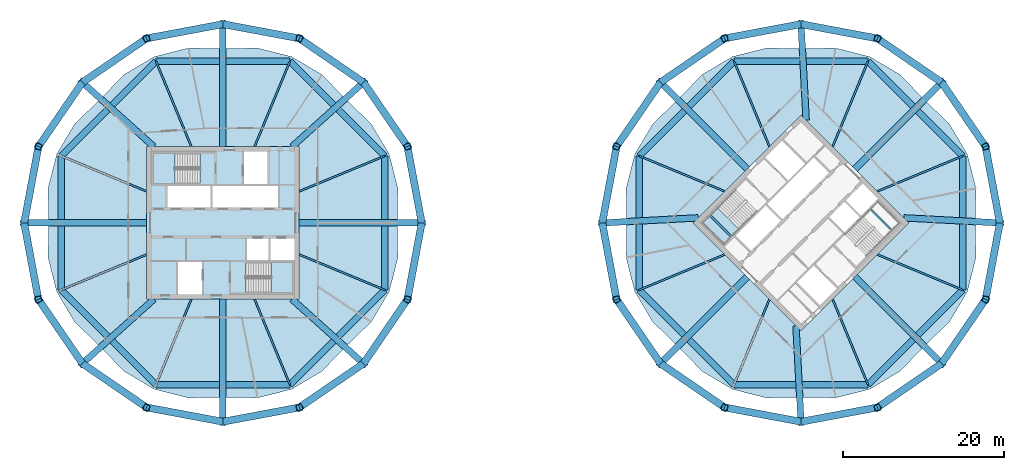
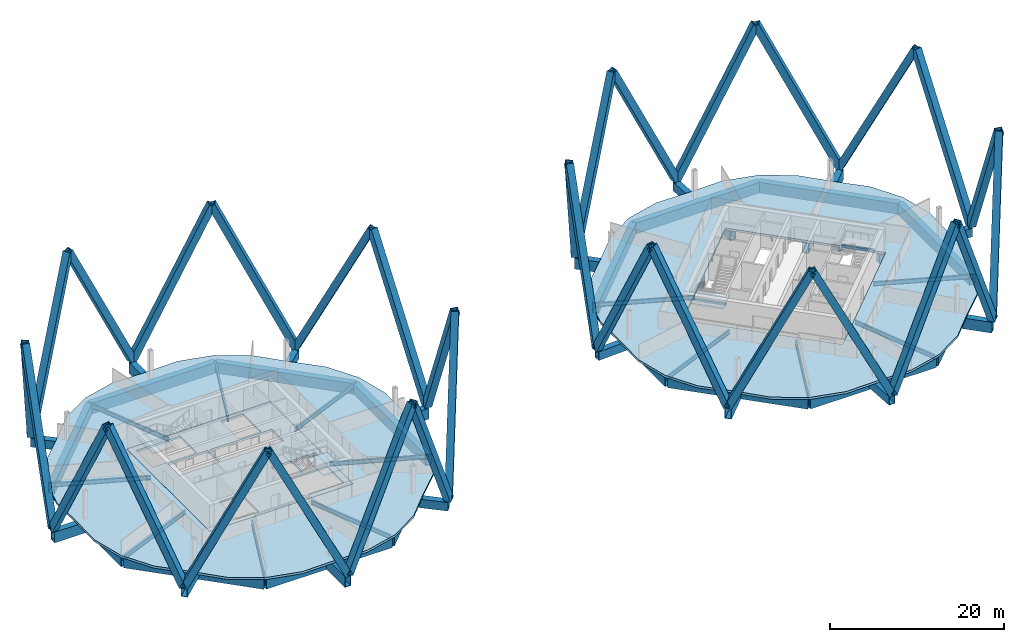
# One storey, part 3 of 10: 50 beams, 32 members, 6 slabs, 3 elements without a shape of their own.
"""IFC4 building model written with IfcOpenShell, lengths in metres."""

from ifc_helpers import new_model, si_unit, direction, frame, origin, origin_2d, place, context, subcontext, project, spatial, polyline, rectangle, hollow_rectangle, i_section, outline, extrude, material, layer, layer_set, material_profile, profile_set, type_object, element, aggregate, save


model = new_model("IFC4")

# Units and contexts
model_context = context("Model", 3, precision=1e-05, world=origin(), true_north=direction((0.0, 1.0)))
body_context = subcontext(model_context, "Body", "Model", "MODEL_VIEW")
ifc_project = project(units=[si_unit("LENGTHUNIT", "METRE"), si_unit("AREAUNIT", "SQUARE_METRE"), si_unit("VOLUMEUNIT", "CUBIC_METRE"), si_unit("PLANEANGLEUNIT", "RADIAN"), si_unit("MASSUNIT", "GRAM", prefix="KILO")], contexts=[model_context])

# Site, building, storey
site_placement = place(None, origin())
site = spatial("IfcSite", under=ifc_project, at=site_placement, CompositionType="ELEMENT")
building_placement = place(site_placement, origin())
building = spatial("IfcBuilding", under=site, at=building_placement, Name="Ogive Gate Towers", CompositionType="ELEMENT")
storey_placement = place(building_placement, frame((0.0, 0.0, 181.199951171875)))
storey = spatial("IfcBuildingStorey", under=building, at=storey_placement, Name="L43", CompositionType="ELEMENT", Elevation=181.199951171875)

# Members
ifc_material_1 = material(Name="Steel SM460", Category="steel")
ifc_material_profile_1 = material_profile(ifc_material_1, hollow_rectangle(XDim=0.89990234375, YDim=0.89990234375, WallThickness=0.070068359375, at=origin_2d()), Name="BX 900x900x70")
ifc_profile_set_1 = profile_set([ifc_material_profile_1], Name="Steel SM460")
member_type = type_object("IfcMemberType", Name="Diagrid diagonal BX 900x900x70", PredefinedType="BRACE", material=ifc_profile_set_1)
for number, where, z_axis, x_axis, name in (
    (1, (-11.239990234375, 0.0, 0.0), (-0.081904414897, -0.437141265874, 0.895655726544), (0.982896440428, -0.184159136056, 0.0), "T1/L43/SDG001"),
    (2, (-11.239990234375, 0.0, 0.0), (-0.081904414897, 0.437141265874, 0.895655726544), (-0.982896440428, -0.184159136056, 0.0), "T1/L43/SDG002"),
    (3, (-18.491943359375, 17.508056640625, 0.0), (0.251185655081, -0.367022611196, 0.895656278688), (0.82523922627, 0.56478333848, 0.0), "T1/L43/SDG003"),
    (4, (-18.491943359375, 17.508056640625, 0.0), (-0.367022611196, 0.251185655081, 0.895656278688), (-0.56478333848, -0.82523922627, 0.0), "T1/L43/SDG004"),
    (5, (-36.0, 24.760009765625, 0.0), (0.437141265874, -0.081904414897, 0.895655726544), (0.184159136056, 0.982896440428, 0.0), "T1/L43/SDG005"),
    (6, (-36.0, 24.760009765625, 0.0), (-0.437141265874, -0.081904414897, 0.895655726544), (0.184159136056, -0.982896440428, 0.0), "T1/L43/SDG006"),
    (7, (-53.508056640625, 17.508056640625, 0.0), (0.367022611196, 0.251185655081, 0.895656278688), (-0.56478333848, 0.82523922627, 0.0), "T1/L43/SDG007"),
    (8, (-53.508056640625, 17.508056640625, 0.0), (-0.251185655081, -0.367022611196, 0.895656278688), (0.82523922627, -0.56478333848, 0.0), "T1/L43/SDG008"),
    (9, (-60.760009765625, 0.0, 0.0), (0.081904414897, 0.437141265874, 0.895655726544), (-0.982896440428, 0.184159136056, 0.0), "T1/L43/SDG009"),
    (10, (-60.760009765625, 0.0, 0.0), (0.081904414897, -0.437141265874, 0.895655726544), (0.982896440428, 0.184159136056, 0.0), "T1/L43/SDG010"),
    (11, (-53.508056640625, -17.508056640625, 0.0), (-0.251185655081, 0.367022611196, 0.895656278688), (-0.82523922627, -0.56478333848, 0.0), "T1/L43/SDG011"),
    (12, (-53.508056640625, -17.508056640625, 0.0), (0.367022611196, -0.251185655081, 0.895656278688), (0.56478333848, 0.82523922627, 0.0), "T1/L43/SDG012"),
    (13, (-36.0, -24.760009765625, 0.0), (-0.437141265874, 0.081904414897, 0.895655726544), (-0.184159136056, -0.982896440428, 0.0), "T1/L43/SDG013"),
    (14, (-36.0, -24.760009765625, 0.0), (0.437141265874, 0.081904414897, 0.895655726544), (-0.184159136056, 0.982896440428, 0.0), "T1/L43/SDG014"),
    (15, (-18.491943359375, -17.508056640625, 0.0), (-0.367022611196, -0.251185655081, 0.895656278688), (0.56478333848, -0.82523922627, 0.0), "T1/L43/SDG015"),
    (16, (-18.491943359375, -17.508056640625, 0.0), (0.251185655081, 0.367022611196, 0.895656278688), (-0.82523922627, 0.56478333848, 0.0), "T1/L43/SDG016"),
    (17, (60.760009765625, 0.0, 0.0), (-0.081904414897, -0.437141265874, 0.895655726544), (0.982896440428, -0.184159136056, 0.0), "T2/L43/SDG001"),
    (18, (60.760009765625, 0.0, 0.0), (-0.081904414897, 0.437141265874, 0.895655726544), (-0.982896440428, -0.184159136056, 0.0), "T2/L43/SDG002"),
    (19, (53.508056640625, 17.508056640625, 0.0), (0.251185655081, -0.367022611196, 0.895656278688), (0.82523922627, 0.56478333848, 0.0), "T2/L43/SDG003"),
    (20, (53.508056640625, 17.508056640625, 0.0), (-0.367022611196, 0.251185655081, 0.895656278688), (-0.56478333848, -0.82523922627, 0.0), "T2/L43/SDG004"),
    (21, (36.0, 24.760009765625, 0.0), (0.437141265874, -0.081904414897, 0.895655726544), (0.184159136056, 0.982896440428, 0.0), "T2/L43/SDG005"),
    (22, (36.0, 24.760009765625, 0.0), (-0.437141265874, -0.081904414897, 0.895655726544), (0.184159136056, -0.982896440428, 0.0), "T2/L43/SDG006"),
    (23, (18.491943359375, 17.508056640625, 0.0), (0.367022611196, 0.251185655081, 0.895656278688), (-0.56478333848, 0.82523922627, 0.0), "T2/L43/SDG007"),
    (24, (18.491943359375, 17.508056640625, 0.0), (-0.251185655081, -0.367022611196, 0.895656278688), (0.82523922627, -0.56478333848, 0.0), "T2/L43/SDG008"),
    (25, (11.239990234375, 0.0, 0.0), (0.081904414897, 0.437141265874, 0.895655726544), (-0.982896440428, 0.184159136056, 0.0), "T2/L43/SDG009"),
    (26, (11.239990234375, 0.0, 0.0), (0.081904414897, -0.437141265874, 0.895655726544), (0.982896440428, 0.184159136056, 0.0), "T2/L43/SDG010"),
    (27, (18.491943359375, -17.508056640625, 0.0), (-0.251185655081, 0.367022611196, 0.895656278688), (-0.82523922627, -0.56478333848, 0.0), "T2/L43/SDG011"),
    (28, (18.491943359375, -17.508056640625, 0.0), (0.367022611196, -0.251185655081, 0.895656278688), (0.56478333848, 0.82523922627, 0.0), "T2/L43/SDG012"),
    (29, (36.0, -24.760009765625, 0.0), (-0.437141265874, 0.081904414897, 0.895655726544), (-0.184159136056, -0.982896440428, 0.0), "T2/L43/SDG013"),
    (30, (36.0, -24.760009765625, 0.0), (0.437141265874, 0.081904414897, 0.895655726544), (-0.184159136056, 0.982896440428, 0.0), "T2/L43/SDG014"),
    (31, (53.508056640625, -17.508056640625, 0.0), (-0.367022611196, -0.251185655081, 0.895656278688), (0.56478333848, -0.82523922627, 0.0), "T2/L43/SDG015"),
    (32, (53.508056640625, -17.508056640625, 0.0), (0.251185655081, 0.367022611196, 0.895656278688), (-0.82523922627, 0.56478333848, 0.0), "T2/L43/SDG016"),
):
    element("IfcMember", number, at=place(storey_placement, frame(where, z_axis=z_axis, x_axis=x_axis)), inside=storey, type_object=member_type, Name=name, PredefinedType="BRACE", context=body_context, shape_type="SweptSolid", body=[
        extrude(hollow_rectangle(XDim=0.89990234375, YDim=0.89990234375, WallThickness=0.070068359375, at=origin_2d()), origin(), (0.0, 0.0, 1.0), 21.771728515625),
    ])

# Beams
ifc_material_profile_2 = material_profile(ifc_material_1, hollow_rectangle(XDim=0.800048828125, YDim=1.5, WallThickness=0.06005859375, at=origin_2d()), Name="BX 1500x800x60")
ifc_profile_set_2 = profile_set([ifc_material_profile_2], Name="Steel SM460")
beam_type_1 = type_object("IfcBeamType", Name="Edge girder BX 1500x800x60", PredefinedType="BEAM", material=ifc_profile_set_2)
beam_1_placement = place(storey_placement, frame((-56.14990234375, -8.346435546875, -1.050048828125), z_axis=(0.707106781187, -0.707106781187, 0.0), x_axis=(0.707106781187, 0.707106781187, 0.0)))
element("IfcBeam", 33, at=beam_1_placement, inside=storey, type_object=beam_type_1, Name="T1/L43/SBM017", PredefinedType="BEAM", context=body_context, shape_type="SweptSolid", body=[
    extrude(hollow_rectangle(XDim=0.800048828125, YDim=1.5, WallThickness=0.06005859375, at=origin_2d()), origin(), (0.0, 0.0, 1.0), 16.692626953125),
])
beam_2_placement = place(storey_placement, frame((-44.346435546875, -20.14990234375, -1.050048828125), z_axis=(1.0, 0.0, 0.0), x_axis=(0.0, 1.0, 0.0)))
element("IfcBeam", 34, at=beam_2_placement, inside=storey, type_object=beam_type_1, Name="T1/L43/SBM018", PredefinedType="BEAM", context=body_context, shape_type="SweptSolid", body=[
    extrude(hollow_rectangle(XDim=0.800048828125, YDim=1.5, WallThickness=0.06005859375, at=origin_2d()), origin(), (0.0, 0.0, 1.0), 16.69287109375),
])
beam_3_placement = place(storey_placement, frame((-27.653564453125, -20.14990234375, -1.050048828125), z_axis=(0.707106781187, 0.707106781187, 0.0), x_axis=(-0.707106781187, 0.707106781187, 0.0)))
element("IfcBeam", 35, at=beam_3_placement, inside=storey, type_object=beam_type_1, Name="T1/L43/SBM019", PredefinedType="BEAM", context=body_context, shape_type="SweptSolid", body=[
    extrude(hollow_rectangle(XDim=0.800048828125, YDim=1.5, WallThickness=0.06005859375, at=origin_2d()), origin(), (0.0, 0.0, 1.0), 16.692626953125),
])
beam_4_placement = place(storey_placement, frame((-15.85009765625, -8.346435546875, -1.050048828125), z_axis=(0.0, 1.0, 0.0), x_axis=(-1.0, 0.0, 0.0)))
element("IfcBeam", 36, at=beam_4_placement, inside=storey, type_object=beam_type_1, Name="T1/L43/SBM020", PredefinedType="BEAM", context=body_context, shape_type="SweptSolid", body=[
    extrude(hollow_rectangle(XDim=0.800048828125, YDim=1.5, WallThickness=0.06005859375, at=origin_2d()), origin(), (0.0, 0.0, 1.0), 16.69287109375),
])
beam_5_placement = place(storey_placement, frame((-15.85009765625, 8.346435546875, -1.050048828125), z_axis=(-0.707106781187, 0.707106781187, 0.0), x_axis=(-0.707106781187, -0.707106781187, 0.0)))
element("IfcBeam", 37, at=beam_5_placement, inside=storey, type_object=beam_type_1, Name="T1/L43/SBM021", PredefinedType="BEAM", context=body_context, shape_type="SweptSolid", body=[
    extrude(hollow_rectangle(XDim=0.800048828125, YDim=1.5, WallThickness=0.06005859375, at=origin_2d()), origin(), (0.0, 0.0, 1.0), 16.692626953125),
])
beam_6_placement = place(storey_placement, frame((-27.653564453125, 20.14990234375, -1.050048828125), z_axis=(-1.0, 0.0, 0.0), x_axis=(0.0, -1.0, 0.0)))
element("IfcBeam", 38, at=beam_6_placement, inside=storey, type_object=beam_type_1, Name="T1/L43/SBM022", PredefinedType="BEAM", context=body_context, shape_type="SweptSolid", body=[
    extrude(hollow_rectangle(XDim=0.800048828125, YDim=1.5, WallThickness=0.06005859375, at=origin_2d()), origin(), (0.0, 0.0, 1.0), 16.69287109375),
])
beam_7_placement = place(storey_placement, frame((-44.346435546875, 20.14990234375, -1.050048828125), z_axis=(-0.707106781187, -0.707106781187, 0.0), x_axis=(0.707106781187, -0.707106781187, 0.0)))
element("IfcBeam", 39, at=beam_7_placement, inside=storey, type_object=beam_type_1, Name="T1/L43/SBM023", PredefinedType="BEAM", context=body_context, shape_type="SweptSolid", body=[
    extrude(hollow_rectangle(XDim=0.800048828125, YDim=1.5, WallThickness=0.06005859375, at=origin_2d()), origin(), (0.0, 0.0, 1.0), 16.692626953125),
])
beam_8_placement = place(storey_placement, frame((-56.14990234375, 8.346435546875, -1.050048828125), z_axis=(0.0, -1.0, 0.0), x_axis=(1.0, 0.0, 0.0)))
element("IfcBeam", 40, at=beam_8_placement, inside=storey, type_object=beam_type_1, Name="T1/L43/SBM024", PredefinedType="BEAM", context=body_context, shape_type="SweptSolid", body=[
    extrude(hollow_rectangle(XDim=0.800048828125, YDim=1.5, WallThickness=0.06005859375, at=origin_2d()), origin(), (0.0, 0.0, 1.0), 16.69287109375),
])
beam_9_placement = place(storey_placement, frame((15.85009765625, -8.346435546875, -1.050048828125), z_axis=(0.707106781187, -0.707106781187, 0.0), x_axis=(0.707106781187, 0.707106781187, 0.0)))
element("IfcBeam", 41, at=beam_9_placement, inside=storey, type_object=beam_type_1, Name="T2/L43/SBM017", PredefinedType="BEAM", context=body_context, shape_type="SweptSolid", body=[
    extrude(hollow_rectangle(XDim=0.800048828125, YDim=1.5, WallThickness=0.06005859375, at=origin_2d()), origin(), (0.0, 0.0, 1.0), 16.692626953125),
])
beam_10_placement = place(storey_placement, frame((27.653564453125, -20.14990234375, -1.050048828125), z_axis=(1.0, 0.0, 0.0), x_axis=(0.0, 1.0, 0.0)))
element("IfcBeam", 42, at=beam_10_placement, inside=storey, type_object=beam_type_1, Name="T2/L43/SBM018", PredefinedType="BEAM", context=body_context, shape_type="SweptSolid", body=[
    extrude(hollow_rectangle(XDim=0.800048828125, YDim=1.5, WallThickness=0.06005859375, at=origin_2d()), origin(), (0.0, 0.0, 1.0), 16.69287109375),
])
beam_11_placement = place(storey_placement, frame((44.346435546875, -20.14990234375, -1.050048828125), z_axis=(0.707106781187, 0.707106781187, 0.0), x_axis=(-0.707106781187, 0.707106781187, 0.0)))
element("IfcBeam", 43, at=beam_11_placement, inside=storey, type_object=beam_type_1, Name="T2/L43/SBM019", PredefinedType="BEAM", context=body_context, shape_type="SweptSolid", body=[
    extrude(hollow_rectangle(XDim=0.800048828125, YDim=1.5, WallThickness=0.06005859375, at=origin_2d()), origin(), (0.0, 0.0, 1.0), 16.692626953125),
])
beam_12_placement = place(storey_placement, frame((56.14990234375, -8.346435546875, -1.050048828125), z_axis=(0.0, 1.0, 0.0), x_axis=(-1.0, 0.0, 0.0)))
element("IfcBeam", 44, at=beam_12_placement, inside=storey, type_object=beam_type_1, Name="T2/L43/SBM020", PredefinedType="BEAM", context=body_context, shape_type="SweptSolid", body=[
    extrude(hollow_rectangle(XDim=0.800048828125, YDim=1.5, WallThickness=0.06005859375, at=origin_2d()), origin(), (0.0, 0.0, 1.0), 16.69287109375),
])
beam_13_placement = place(storey_placement, frame((56.14990234375, 8.346435546875, -1.050048828125), z_axis=(-0.707106781187, 0.707106781187, 0.0), x_axis=(-0.707106781187, -0.707106781187, 0.0)))
element("IfcBeam", 45, at=beam_13_placement, inside=storey, type_object=beam_type_1, Name="T2/L43/SBM021", PredefinedType="BEAM", context=body_context, shape_type="SweptSolid", body=[
    extrude(hollow_rectangle(XDim=0.800048828125, YDim=1.5, WallThickness=0.06005859375, at=origin_2d()), origin(), (0.0, 0.0, 1.0), 16.692626953125),
])
beam_14_placement = place(storey_placement, frame((44.346435546875, 20.14990234375, -1.050048828125), z_axis=(-1.0, 0.0, 0.0), x_axis=(0.0, -1.0, 0.0)))
element("IfcBeam", 46, at=beam_14_placement, inside=storey, type_object=beam_type_1, Name="T2/L43/SBM022", PredefinedType="BEAM", context=body_context, shape_type="SweptSolid", body=[
    extrude(hollow_rectangle(XDim=0.800048828125, YDim=1.5, WallThickness=0.06005859375, at=origin_2d()), origin(), (0.0, 0.0, 1.0), 16.69287109375),
])
beam_15_placement = place(storey_placement, frame((27.653564453125, 20.14990234375, -1.050048828125), z_axis=(-0.707106781187, -0.707106781187, 0.0), x_axis=(0.707106781187, -0.707106781187, 0.0)))
element("IfcBeam", 47, at=beam_15_placement, inside=storey, type_object=beam_type_1, Name="T2/L43/SBM023", PredefinedType="BEAM", context=body_context, shape_type="SweptSolid", body=[
    extrude(hollow_rectangle(XDim=0.800048828125, YDim=1.5, WallThickness=0.06005859375, at=origin_2d()), origin(), (0.0, 0.0, 1.0), 16.692626953125),
])
beam_16_placement = place(storey_placement, frame((15.85009765625, 8.346435546875, -1.050048828125), z_axis=(0.0, -1.0, 0.0), x_axis=(1.0, 0.0, 0.0)))
element("IfcBeam", 48, at=beam_16_placement, inside=storey, type_object=beam_type_1, Name="T2/L43/SBM024", PredefinedType="BEAM", context=body_context, shape_type="SweptSolid", body=[
    extrude(hollow_rectangle(XDim=0.800048828125, YDim=1.5, WallThickness=0.06005859375, at=origin_2d()), origin(), (0.0, 0.0, 1.0), 16.69287109375),
])
ifc_material_2 = material(Name="Concrete C40/50", Category="concrete")
ifc_material_profile_3 = material_profile(ifc_material_2, rectangle(XDim=0.25, YDim=0.300048828125, at=origin_2d()), Name="RC 250x300")
ifc_profile_set_3 = profile_set([ifc_material_profile_3], Name="Concrete C40/50")
beam_type_2 = type_object("IfcBeamType", Name="Landing bearer RC 250x300", PredefinedType="BEAM", material=ifc_profile_set_3)
for number, where, z_axis, x_axis, name in (
    (49, (24.650390625, 0.9541015625, 1.60009765625), (0.707106781187, -0.707106781187, 0.0), (0.707106781187, 0.707106781187, 0.0), "T2 L43 stair 1 landing bearer 1"),
    (50, (47.349609375, -0.9541015625, 1.60009765625), (-0.707106781187, 0.707106781187, 0.0), (-0.707106781187, -0.707106781187, 0.0), "T2 L43 stair 2 landing bearer 1"),
):
    element("IfcBeam", number, at=place(storey_placement, frame(where, z_axis=z_axis, x_axis=x_axis)), inside=storey, type_object=beam_type_2, Name=name, PredefinedType="BEAM", context=body_context, shape_type="SweptSolid", body=[
        extrude(rectangle(XDim=0.25, YDim=0.300048828125, at=origin_2d()), origin(), (0.0, 0.0, 1.0), 3.824951171875),
    ])
ifc_material_3 = material(Name="Steel SM355", Category="steel")
ifc_material_profile_4 = material_profile(ifc_material_3, i_section(OverallWidth=0.219970703125, OverallDepth=0.60009765625, WebThickness=0.011962890625, FlangeThickness=0.01904296875, FilletRadius=0.02392578125, at=origin_2d()), Name="IPE 600")
ifc_profile_set_4 = profile_set([ifc_material_profile_4], Name="Steel SM355")
beam_type_3 = type_object("IfcBeamType", Name="Radial floor beam IPE 600", PredefinedType="BEAM", material=ifc_profile_set_4)
for number, where, z_axis, x_axis, name in (
    (51, (-45.5, -3.93505859375, -0.599853515625), (-0.923878214756, -0.382686613691, 0.0), (0.382686613691, -0.923878214756, 0.0), "T1/L43/SBM001"),
    (52, (-39.93505859375, -9.5, -0.599853515625), (-0.382686613691, -0.923878214756, 0.0), (0.923878214756, -0.382686613691, 0.0), "T1/L43/SBM003"),
    (53, (-32.06494140625, -9.5, -0.599853515625), (0.382686613691, -0.923878214756, 0.0), (0.923878214756, 0.382686613691, 0.0), "T1/L43/SBM005"),
    (54, (-26.5, -3.93505859375, -0.599853515625), (0.923878214756, -0.382686613691, 0.0), (0.382686613691, 0.923878214756, 0.0), "T1/L43/SBM007"),
    (55, (-26.5, 3.93505859375, -0.599853515625), (0.923878214756, 0.382686613691, 0.0), (-0.382686613691, 0.923878214756, 0.0), "T1/L43/SBM009"),
    (56, (-32.06494140625, 9.5, -0.599853515625), (0.382686613691, 0.923878214756, 0.0), (-0.923878214756, 0.382686613691, 0.0), "T1/L43/SBM011"),
    (57, (-39.93505859375, 9.5, -0.599853515625), (-0.382686613691, 0.923878214756, 0.0), (-0.923878214756, -0.382686613691, 0.0), "T1/L43/SBM013"),
    (58, (-45.5, 3.93505859375, -0.599853515625), (-0.923878214756, 0.382686613691, 0.0), (-0.382686613691, -0.923878214756, 0.0), "T1/L43/SBM015"),
    (59, (26.5, -3.93505859375, -0.599853515625), (-0.923878214756, -0.382686613691, 0.0), (0.382686613691, -0.923878214756, 0.0), "T2/L43/SBM001"),
    (60, (32.06494140625, -9.5, -0.599853515625), (-0.382686613691, -0.923878214756, 0.0), (0.923878214756, -0.382686613691, 0.0), "T2/L43/SBM003"),
    (61, (39.93505859375, -9.5, -0.599853515625), (0.382686613691, -0.923878214756, 0.0), (0.923878214756, 0.382686613691, 0.0), "T2/L43/SBM005"),
    (62, (45.5, -3.93505859375, -0.599853515625), (0.923878214756, -0.382686613691, 0.0), (0.382686613691, 0.923878214756, 0.0), "T2/L43/SBM007"),
    (63, (45.5, 3.93505859375, -0.599853515625), (0.923878214756, 0.382686613691, 0.0), (-0.382686613691, 0.923878214756, 0.0), "T2/L43/SBM009"),
    (64, (39.93505859375, 9.5, -0.599853515625), (0.382686613691, 0.923878214756, 0.0), (-0.923878214756, 0.382686613691, 0.0), "T2/L43/SBM011"),
    (65, (32.06494140625, 9.5, -0.599853515625), (-0.382686613691, 0.923878214756, 0.0), (-0.923878214756, -0.382686613691, 0.0), "T2/L43/SBM013"),
    (66, (26.5, 3.93505859375, -0.599853515625), (-0.923878214756, 0.382686613691, 0.0), (-0.382686613691, -0.923878214756, 0.0), "T2/L43/SBM015"),
):
    element("IfcBeam", number, at=place(storey_placement, frame(where, z_axis=z_axis, x_axis=x_axis)), inside=storey, type_object=beam_type_3, Name=name, PredefinedType="BEAM", context=body_context, shape_type="SweptSolid", body=[
        extrude(i_section(OverallWidth=0.219970703125, OverallDepth=0.60009765625, WebThickness=0.011962890625, FlangeThickness=0.01904296875, FilletRadius=0.02392578125, at=origin_2d()), origin(), (0.0, 0.0, 1.0), 11.52734375),
    ])
ifc_material_profile_5 = material_profile(ifc_material_1, hollow_rectangle(XDim=0.800048828125, YDim=1.199951171875, WallThickness=0.050048828125, at=origin_2d()), Name="BX 1200x800x50")
ifc_profile_set_5 = profile_set([ifc_material_profile_5], Name="Steel SM460")
beam_type_4 = type_object("IfcBeamType", Name="Transfer radial beam BX 1200x800x50", PredefinedType="BEAM", material=ifc_profile_set_5)
for number, where, z_axis, x_axis, name in (
    (67, (-44.60009765625, -9.5, -0.89990234375), (-0.743672048696, -0.668544601345, 0.0), (0.668544601345, -0.743672048696, 0.0), "T1/L43/SBM002"),
    (68, (-27.39990234375, -9.5, -0.89990234375), (0.743672048696, -0.668544601345, 0.0), (0.668544601345, 0.743672048696, 0.0), "T1/L43/SBM006"),
    (69, (-27.39990234375, 9.5, -0.89990234375), (0.743672048696, 0.668544601345, 0.0), (-0.668544601345, 0.743672048696, 0.0), "T1/L43/SBM010"),
    (70, (-44.60009765625, 9.5, -0.89990234375), (-0.743672048696, 0.668544601345, 0.0), (-0.668544601345, -0.743672048696, 0.0), "T1/L43/SBM014"),
    (71, (35.363525390625, -12.798583984375, -0.89990234375), (0.053135427421, -0.998587315337, 0.0), (0.998587315337, 0.053135427421, 0.0), "T2/L43/SBM004"),
    (72, (48.798583984375, 0.636474609375, -0.89990234375), (0.998587315337, -0.053135427421, 0.0), (0.053135427421, 0.998587315337, 0.0), "T2/L43/SBM008"),
    (73, (36.636474609375, 12.798583984375, -0.89990234375), (-0.053135427421, 0.998587315337, 0.0), (-0.998587315337, -0.053135427421, 0.0), "T2/L43/SBM012"),
    (74, (23.201416015625, 0.636474609375, -0.89990234375), (-0.998587315337, -0.053135427421, 0.0), (0.053135427421, -0.998587315337, 0.0), "T2/L43/SBM016"),
):
    element("IfcBeam", number, at=place(storey_placement, frame(where, z_axis=z_axis, x_axis=x_axis)), inside=storey, type_object=beam_type_4, Name=name, PredefinedType="BEAM", context=body_context, shape_type="SweptSolid", body=[
        extrude(hollow_rectangle(XDim=0.800048828125, YDim=1.199951171875, WallThickness=0.050048828125, at=origin_2d()), origin(), (0.0, 0.0, 1.0), 11.978271484375),
    ])
ifc_material_profile_6 = material_profile(ifc_material_1, hollow_rectangle(XDim=0.800048828125, YDim=1.5, WallThickness=0.06005859375, at=origin_2d()), Name="BX 1500x800x60")
ifc_profile_set_6 = profile_set([ifc_material_profile_6], Name="Steel SM460")
beam_type_5 = type_object("IfcBeamType", Name="Transfer radial beam BX 1500x800x60", PredefinedType="BEAM", material=ifc_profile_set_6)
for number, where, z_axis, x_axis, name in (
    (75, (-36.0, -9.5, -1.050048828125), (0.0, -1.0, 0.0), (1.0, 0.0, 0.0), "T1/L43/SBM004"),
    (76, (-26.5, 0.0, -1.050048828125), (1.0, 0.0, 0.0), (0.0, 1.0, 0.0), "T1/L43/SBM008"),
    (77, (-36.0, 9.5, -1.050048828125), (0.0, 1.0, 0.0), (-1.0, 0.0, 0.0), "T1/L43/SBM012"),
    (78, (-45.5, 0.0, -1.050048828125), (-1.0, 0.0, 0.0), (0.0, -1.0, 0.0), "T1/L43/SBM016"),
    (79, (29.282470703125, -6.717529296875, -1.050048828125), (-0.707106781187, -0.707106781187, 0.0), (0.707106781187, -0.707106781187, 0.0), "T2/L43/SBM002"),
    (80, (42.717529296875, -6.717529296875, -1.050048828125), (0.707106781187, -0.707106781187, 0.0), (0.707106781187, 0.707106781187, 0.0), "T2/L43/SBM006"),
    (81, (42.717529296875, 6.717529296875, -1.050048828125), (0.707106781187, 0.707106781187, 0.0), (-0.707106781187, 0.707106781187, 0.0), "T2/L43/SBM010"),
    (82, (29.282470703125, 6.717529296875, -1.050048828125), (-0.707106781187, 0.707106781187, 0.0), (-0.707106781187, -0.707106781187, 0.0), "T2/L43/SBM014"),
):
    element("IfcBeam", number, at=place(storey_placement, frame(where, z_axis=z_axis, x_axis=x_axis)), inside=storey, type_object=beam_type_5, Name=name, PredefinedType="BEAM", context=body_context, shape_type="SweptSolid", body=[
        extrude(hollow_rectangle(XDim=0.800048828125, YDim=1.5, WallThickness=0.06005859375, at=origin_2d()), origin(), (0.0, 0.0, 1.0), 15.260009765625),
    ])

# Slabs
ifc_layer_1 = layer(ifc_material_2, 0.300048828125)
ifc_layer_set_1 = layer_set([ifc_layer_1], Name="Core slab C40/50 300 mm")
slab_type_1 = type_object("IfcSlabType", Name="Core slab C40/50 300 mm", PredefinedType="FLOOR", material=ifc_layer_set_1)
slab_1_placement = place(storey_placement, frame((0.0, 0.0, -0.300048828125)))
element("IfcSlab", 83, at=slab_1_placement, inside=storey, type_object=slab_type_1, Name="T1 L43 core slab", PredefinedType="FLOOR", context=body_context, shape_type="SweptSolid", body=[
    extrude(outline(polyline([(-45.5, -9.5), (-45.5, 9.5), (-26.5, 9.5), (-26.5, -9.5), (-45.5, -9.5)]), holes=[polyline([(-42.875, 1.949951171875), (-37.574951171875, 1.949951171875), (-37.574951171875, 4.625), (-42.875, 4.625), (-42.875, 1.949951171875)]), polyline([(-37.324951171875, 4.625), (-37.324951171875, 1.949951171875), (-29.125, 1.949951171875), (-29.125, 4.625), (-37.324951171875, 4.625)]), polyline([(-30.324951171875, -1.949951171875), (-32.97509765625, -1.949951171875), (-32.97509765625, -4.625), (-30.324951171875, -4.625), (-30.324951171875, -1.949951171875)]), polyline([(-27.10009765625, -4.625), (-27.10009765625, -1.949951171875), (-30.074951171875, -1.949951171875), (-30.074951171875, -4.625), (-27.10009765625, -4.625)]), polyline([(-33.375, 4.875), (-30.425048828125, 4.875), (-30.425048828125, 8.89990234375), (-33.375, 8.89990234375), (-33.375, 4.875)]), polyline([(-41.574951171875, -4.875), (-41.574951171875, -8.89990234375), (-38.625, -8.89990234375), (-38.625, -4.875), (-41.574951171875, -4.875)]), polyline([(-44.699951171875, 4.875), (-38.885009765625, 4.875), (-38.885009765625, 8.699951171875), (-44.699951171875, 8.699951171875), (-44.699951171875, 4.875)]), polyline([(-27.300048828125, -8.699951171875), (-27.300048828125, -4.875), (-33.114990234375, -4.875), (-33.114990234375, -8.699951171875), (-27.300048828125, -8.699951171875)])]), origin(), (0.0, 0.0, 1.0), 0.300048828125),
])
ifc_material_4 = material(Name="Concrete C35/45", Category="concrete")
ifc_layer_2 = layer(ifc_material_4, 0.300048828125)
ifc_layer_set_2 = layer_set([ifc_layer_2], Name="Floor slab 300")
slab_type_2 = type_object("IfcSlabType", Name="Floor slab 300", PredefinedType="FLOOR", material=ifc_layer_set_2)
slab_2_placement = place(storey_placement, frame((0.0, 0.0, -0.300048828125)))
element("IfcSlab", 84, at=slab_2_placement, inside=storey, type_object=slab_type_2, Name="T1/L43/SSL001", PredefinedType="FLOOR", context=body_context, shape_type="SweptSolid", body=[
    extrude(outline(polyline([(-14.216796875, -4.3330078125), (-14.2900390625, 0.0), (-14.216796875, 4.3330078125), (-15.2958984375, 8.575927734375), (-17.532958984375, 12.339111328125), (-20.648681640625, 15.351318359375), (-23.660888671875, 18.467041015625), (-27.424072265625, 20.7041015625), (-31.6669921875, 21.783203125), (-36.0, 21.7099609375), (-40.3330078125, 21.783203125), (-44.575927734375, 20.7041015625), (-48.339111328125, 18.467041015625), (-51.351318359375, 15.351318359375), (-54.467041015625, 12.339111328125), (-56.7041015625, 8.575927734375), (-57.783203125, 4.3330078125), (-57.7099609375, 0.0), (-57.783203125, -4.3330078125), (-56.7041015625, -8.575927734375), (-54.467041015625, -12.339111328125), (-51.351318359375, -15.351318359375), (-48.339111328125, -18.467041015625), (-44.575927734375, -20.7041015625), (-40.3330078125, -21.783203125), (-36.0, -21.7099609375), (-31.6669921875, -21.783203125), (-27.424072265625, -20.7041015625), (-23.660888671875, -18.467041015625), (-20.648681640625, -15.351318359375), (-17.532958984375, -12.339111328125), (-15.2958984375, -8.575927734375), (-14.216796875, -4.3330078125)]), holes=[polyline([(-26.5, -9.5), (-45.5, -9.5), (-45.5, 9.5), (-26.5, 9.5), (-26.5, -9.5)])]), origin(), (0.0, 0.0, 1.0), 0.300048828125),
])
slab_3_placement = place(storey_placement, frame((0.0, 0.0, -0.300048828125)))
element("IfcSlab", 85, at=slab_3_placement, inside=storey, type_object=slab_type_2, Name="T2/L43/SSL001", PredefinedType="FLOOR", context=body_context, shape_type="SweptSolid", body=[
    extrude(outline(polyline([(57.783203125, -4.3330078125), (57.7099609375, 0.0), (57.783203125, 4.3330078125), (56.7041015625, 8.575927734375), (54.467041015625, 12.339111328125), (51.351318359375, 15.351318359375), (48.339111328125, 18.467041015625), (44.575927734375, 20.7041015625), (40.3330078125, 21.783203125), (36.0, 21.7099609375), (31.6669921875, 21.783203125), (27.424072265625, 20.7041015625), (23.660888671875, 18.467041015625), (20.648681640625, 15.351318359375), (17.532958984375, 12.339111328125), (15.2958984375, 8.575927734375), (14.216796875, 4.3330078125), (14.2900390625, 0.0), (14.216796875, -4.3330078125), (15.2958984375, -8.575927734375), (17.532958984375, -12.339111328125), (20.648681640625, -15.351318359375), (23.660888671875, -18.467041015625), (27.424072265625, -20.7041015625), (31.6669921875, -21.783203125), (36.0, -21.7099609375), (40.3330078125, -21.783203125), (44.575927734375, -20.7041015625), (48.339111328125, -18.467041015625), (51.351318359375, -15.351318359375), (54.467041015625, -12.339111328125), (56.7041015625, -8.575927734375), (57.783203125, -4.3330078125)]), holes=[polyline([(49.43505859375, 0.0), (36.0, -13.43505859375), (22.56494140625, 0.0), (36.0, 13.43505859375), (49.43505859375, 0.0)])]), origin(), (0.0, 0.0, 1.0), 0.300048828125),
])

# Stair, slab
stair_type = type_object("IfcStairType", Name="Escape stair 1840 wide", PredefinedType="HALF_TURN_STAIR", material=ifc_material_2)
stair_1_placement = place(storey_placement, origin())
stair_1 = element("IfcStair", 86, at=stair_1_placement, inside=storey, type_object=stair_type, Name="L43 Escape stair 1", PredefinedType="HALF_TURN_STAIR")
ifc_layer_3 = layer(ifc_material_2, 0.199951171875)
ifc_layer_set_3 = layer_set([ifc_layer_3], Name="Stair landing 200 mm")
slab_type_3 = type_object("IfcSlabType", Name="Stair landing 200 mm", PredefinedType="LANDING", material=ifc_layer_set_3)
slab_4_placement = place(storey_placement, frame((0.0, 0.0, 1.75)))
slab_4 = element("IfcSlab", 87, at=slab_4_placement, type_object=slab_type_3, Name="ST1 landing 1", PredefinedType="LANDING", context=body_context, shape_type="SweptSolid", body=[
    extrude(outline(polyline([(-42.00146484375, 8.699951171875), (-44.699951171875, 8.699951171875), (-44.699951171875, 4.875), (-42.00146484375, 4.875), (-42.00146484375, 8.699951171875)])), origin(), (0.0, 0.0, 1.0), 0.199951171875),
])
aggregate(stair_1, [slab_4])

stair_2_placement = place(storey_placement, origin())
stair_2 = element("IfcStair", 88, at=stair_2_placement, inside=storey, type_object=stair_type, Name="L43 Escape stair 2", PredefinedType="HALF_TURN_STAIR")
slab_5_placement = place(storey_placement, frame((0.0, 0.0, 1.75)))
slab_5 = element("IfcSlab", 89, at=slab_5_placement, type_object=slab_type_3, Name="ST2 landing 1", PredefinedType="LANDING", context=body_context, shape_type="SweptSolid", body=[
    extrude(outline(polyline([(-29.99853515625, -8.699951171875), (-27.300048828125, -8.699951171875), (-27.300048828125, -4.875), (-29.99853515625, -4.875), (-29.99853515625, -8.699951171875)])), origin(), (0.0, 0.0, 1.0), 0.199951171875),
])
aggregate(stair_2, [slab_5])

stair_3_placement = place(storey_placement, origin())
stair_3 = element("IfcStair", 90, at=stair_3_placement, inside=storey, type_object=stair_type, Name="L43 Escape stair 1", PredefinedType="HALF_TURN_STAIR")
slab_6_placement = place(storey_placement, frame((0.0, 0.0, 1.75)))
slab_6 = element("IfcSlab", 91, at=slab_6_placement, type_object=slab_type_3, Name="ST1 landing 1", PredefinedType="LANDING", context=body_context, shape_type="SweptSolid", body=[
    extrude(outline(polyline([(25.6044921875, 1.908203125), (23.6962890625, 0.0), (26.401123046875, -2.70458984375), (28.309326171875, -0.79638671875), (25.6044921875, 1.908203125)])), origin(), (0.0, 0.0, 1.0), 0.199951171875),
])
aggregate(stair_3, [slab_6])

save(model, "model.ifc")
